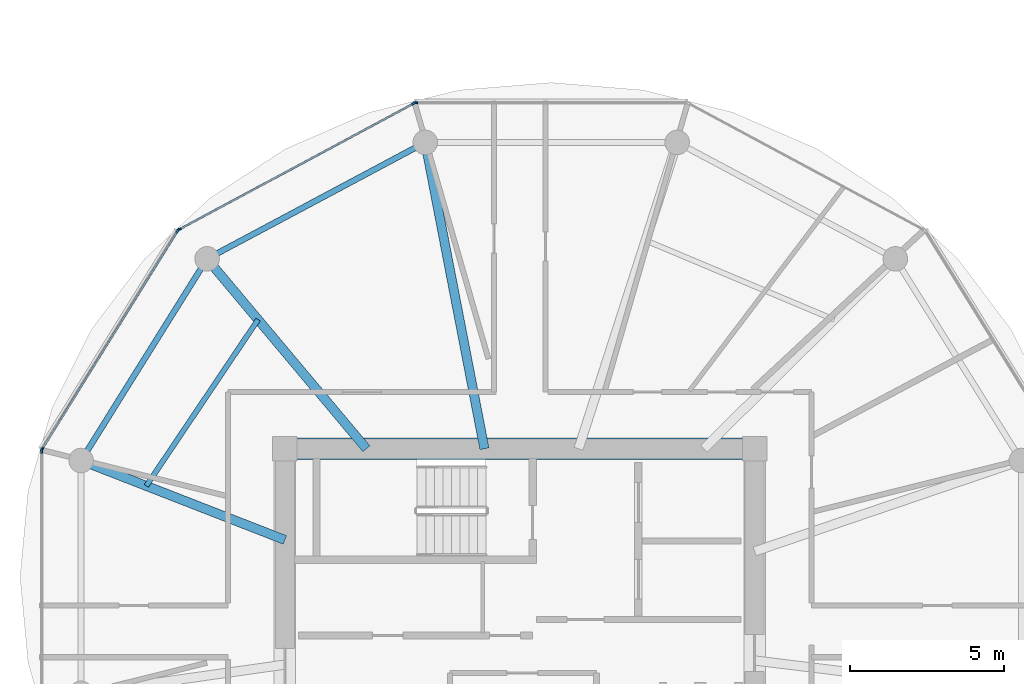
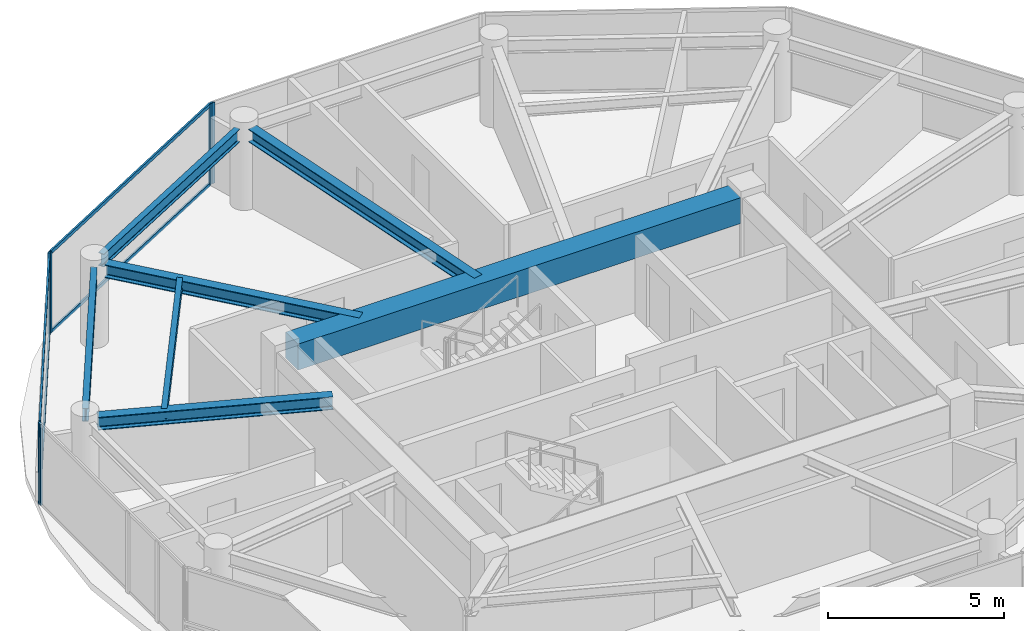
# One storey, part 4 of 22: 10 members, 7 beams, 4 elements without a shape of their own.
"""IFC4 building model written with IfcOpenShell, lengths in metres."""

from ifc_helpers import new_model, si_unit, direction, frame, origin, origin_2d, place, context, subcontext, project, spatial, rectangle, i_section, extrude, source, transform, mapped, material, layer, layer_set, material_profile, profile_set, type_object, type_shapes, element, aggregate, save


model = new_model("IFC4")

# Units and contexts
model_context = context("Model", 3, precision=1e-05, world=origin(), true_north=direction((0.0, 1.0)))
body_context = subcontext(model_context, "Body", "Model", "MODEL_VIEW")
ifc_project = project(units=[si_unit("LENGTHUNIT", "METRE"), si_unit("AREAUNIT", "SQUARE_METRE"), si_unit("VOLUMEUNIT", "CUBIC_METRE"), si_unit("PLANEANGLEUNIT", "RADIAN"), si_unit("MASSUNIT", "GRAM", prefix="KILO")], contexts=[model_context])

# Site, building, storey
site_placement = place(None, origin())
site = spatial("IfcSite", under=ifc_project, at=site_placement, CompositionType="ELEMENT")
building_placement = place(site_placement, origin())
building = spatial("IfcBuilding", under=site, at=building_placement, Name="Norrkilde Senior Care Towers", CompositionType="ELEMENT")
storey_placement = place(building_placement, frame((0.0, 0.0, 180.050048828125)))
storey = spatial("IfcBuildingStorey", under=building, at=storey_placement, Name="L56", CompositionType="ELEMENT", Elevation=180.050048828125)

# Beams
ifc_material_1 = material(Name="Concrete C60/75", Category="concrete")
ifc_material_profile_1 = material_profile(ifc_material_1, rectangle(XDim=0.699951171875, YDim=0.89990234375, at=origin_2d()), Name="RC BM 700x900")
ifc_profile_set_1 = profile_set([ifc_material_profile_1], Name="Concrete C60/75")
beam_type_1 = type_object("IfcBeamType", Name="Core Coupling Girder 700x900", PredefinedType="USERDEFINED", material=ifc_profile_set_1)
shared_shape_1 = source(origin(), body_context, "Body", "SweptSolid", [
    extrude(rectangle(XDim=0.699951171875, YDim=0.89990234375, at=origin_2d()), origin(), (0.0, 0.0, 1.0), 14.5400390625),
])
type_shapes(beam_type_1, [shared_shape_1])
beam_1_placement = place(storey_placement, frame((-35.27001953125, 5.949951171875, 2.35986328125), z_axis=(1.0, 0.0, 0.0), x_axis=(0.0, 1.0, 0.0)))
element("IfcBeam", 1, at=beam_1_placement, inside=storey, type_object=beam_type_1, Name="L56 Core W N Coupling Girder", ObjectType="GIRDER", PredefinedType="USERDEFINED", context=body_context, shape_type="MappedRepresentation", body=[
    mapped(shared_shape_1, transform((0.0, 0.0, 0.0), x_axis=(1.0, 0.0, 0.0), y_axis=(0.0, 1.0, 0.0), z_axis=(0.0, 0.0, 1.0), scale=1.0)),
])
ifc_material_2 = material(Name="Steel S355", Category="steel")
ifc_material_profile_2 = material_profile(ifc_material_2, i_section(OverallWidth=0.18994140625, OverallDepth=0.449951171875, WebThickness=0.009521484375, FlangeThickness=0.0146484375, FilletRadius=0.02099609375, at=origin_2d()), Name="IPE 450")
ifc_profile_set_2 = profile_set([ifc_material_profile_2], Name="Steel S355")
beam_type_2 = type_object("IfcBeamType", Name="Perimeter Ring Spandrel Z3 IPE450", PredefinedType="SPANDREL", material=ifc_profile_set_2)
shared_shape_2 = source(origin(), body_context, "Body", "SweptSolid", [
    extrude(i_section(OverallWidth=0.18994140625, OverallDepth=0.449951171875, WebThickness=0.009521484375, FlangeThickness=0.0146484375, FilletRadius=0.02099609375, at=origin_2d()), origin(), (0.0, 0.0, 1.0), 7.0234375),
])
beam_2_placement = place(storey_placement, frame((-38.373291015625, 11.8291015625, 2.5849609375), z_axis=(-0.529789577822, -0.848129119433, 0.0), x_axis=(0.848129119433, -0.529789577822, 0.0)))
element("IfcBeam", 2, at=beam_2_placement, inside=storey, type_object=beam_type_2, Name="L56 Drum W Perimeter Spandrel 05", PredefinedType="SPANDREL", context=body_context, shape_type="MappedRepresentation", body=[
    mapped(shared_shape_2, transform((0.0, 0.0, 0.0), x_axis=(1.0, 0.0, 0.0), y_axis=(0.0, 1.0, 0.0), z_axis=(0.0, 0.0, 1.0), scale=1.0)),
])
shared_shape_3 = source(origin(), body_context, "Body", "SweptSolid", [
    extrude(i_section(OverallWidth=0.18994140625, OverallDepth=0.449951171875, WebThickness=0.009521484375, FlangeThickness=0.0146484375, FilletRadius=0.02099609375, at=origin_2d()), origin(), (0.0, 0.0, 1.0), 7.333740234375),
])
type_shapes(beam_type_2, [shared_shape_2, shared_shape_3])
beam_3_placement = place(storey_placement, frame((-31.394775390625, 15.756591796875, 2.5849609375), z_axis=(-0.882247866069, -0.470785198172, 0.0), x_axis=(0.470785198172, -0.882247866069, 0.0)))
element("IfcBeam", 3, at=beam_3_placement, inside=storey, type_object=beam_type_2, Name="L56 Drum W Perimeter Spandrel 04", PredefinedType="SPANDREL", context=body_context, shape_type="MappedRepresentation", body=[
    mapped(shared_shape_3, transform((0.0, 0.0, 0.0), x_axis=(1.0, 0.0, 0.0), y_axis=(0.0, 1.0, 0.0), z_axis=(0.0, 0.0, 1.0), scale=1.0)),
])
ifc_material_profile_3 = material_profile(ifc_material_2, i_section(OverallWidth=0.300048828125, OverallDepth=0.449951171875, WebThickness=0.013916015625, FlangeThickness=0.02587890625, FilletRadius=0.027099609375, at=origin_2d()), Name="HEB 450")
ifc_profile_set_3 = profile_set([ifc_material_profile_3], Name="Steel S355")
beam_type_3 = type_object("IfcBeamType", Name="Radial Floor Beam Z3 HEB450", PredefinedType="BEAM", material=ifc_profile_set_3)
shared_shape_4 = source(origin(), body_context, "Body", "SweptSolid", [
    extrude(i_section(OverallWidth=0.300048828125, OverallDepth=0.449951171875, WebThickness=0.013916015625, FlangeThickness=0.02587890625, FilletRadius=0.027099609375, at=origin_2d()), origin(), (0.0, 0.0, 1.0), 9.80078125),
])
beam_4_placement = place(storey_placement, frame((-29.149658203125, 5.949951171875, 2.5849609375), z_axis=(-0.189716727661, 0.98183886827, 0.0), x_axis=(-0.98183886827, -0.189716727661, 0.0)))
element("IfcBeam", 4, at=beam_4_placement, inside=storey, type_object=beam_type_3, Name="L56 Drum W Radial Floor Beam 04", PredefinedType="BEAM", context=body_context, shape_type="MappedRepresentation", body=[
    mapped(shared_shape_4, transform((0.0, 0.0, 0.0), x_axis=(1.0, 0.0, 0.0), y_axis=(0.0, 1.0, 0.0), z_axis=(0.0, 0.0, 1.0), scale=1.0)),
])
shared_shape_5 = source(origin(), body_context, "Body", "SweptSolid", [
    extrude(i_section(OverallWidth=0.300048828125, OverallDepth=0.449951171875, WebThickness=0.013916015625, FlangeThickness=0.02587890625, FilletRadius=0.027099609375, at=origin_2d()), origin(), (0.0, 0.0, 1.0), 7.71337890625),
])
beam_5_placement = place(storey_placement, frame((-32.992919921875, 5.949951171875, 2.5849609375), z_axis=(-0.642808239864, 0.766027131872, 0.0), x_axis=(-0.766027131872, -0.642808239864, 0.0)))
element("IfcBeam", 5, at=beam_5_placement, inside=storey, type_object=beam_type_3, Name="L56 Drum W Radial Floor Beam 05", PredefinedType="BEAM", context=body_context, shape_type="MappedRepresentation", body=[
    mapped(shared_shape_5, transform((0.0, 0.0, 0.0), x_axis=(1.0, 0.0, 0.0), y_axis=(0.0, 1.0, 0.0), z_axis=(0.0, 0.0, 1.0), scale=1.0)),
])
shared_shape_6 = source(origin(), body_context, "Body", "SweptSolid", [
    extrude(i_section(OverallWidth=0.300048828125, OverallDepth=0.449951171875, WebThickness=0.013916015625, FlangeThickness=0.02587890625, FilletRadius=0.027099609375, at=origin_2d()), origin(), (0.0, 0.0, 1.0), 6.760986328125),
])
type_shapes(beam_type_3, [shared_shape_4, shared_shape_5, shared_shape_6])
beam_6_placement = place(storey_placement, frame((-35.64990234375, 2.981201171875, 2.5849609375), z_axis=(-0.931742171387, 0.363120539297, 0.0), x_axis=(-0.363120539297, -0.931742171387, 0.0)))
element("IfcBeam", 6, at=beam_6_placement, inside=storey, type_object=beam_type_3, Name="L56 Drum W Radial Floor Beam 06", PredefinedType="BEAM", context=body_context, shape_type="MappedRepresentation", body=[
    mapped(shared_shape_6, transform((0.0, 0.0, 0.0), x_axis=(1.0, 0.0, 0.0), y_axis=(0.0, 1.0, 0.0), z_axis=(0.0, 0.0, 1.0), scale=1.0)),
])
ifc_material_profile_4 = material_profile(ifc_material_2, i_section(OverallWidth=0.169921875, OverallDepth=0.360107421875, WebThickness=0.008056640625, FlangeThickness=0.0126953125, FilletRadius=0.01806640625, at=origin_2d()), Name="IPE 360")
ifc_profile_set_4 = profile_set([ifc_material_profile_4], Name="Steel S355")
beam_type_4 = type_object("IfcBeamType", Name="Secondary Floor Joist IPE360", PredefinedType="JOIST", material=ifc_profile_set_4)
shared_shape_7 = source(origin(), body_context, "Body", "SweptSolid", [
    extrude(i_section(OverallWidth=0.169921875, OverallDepth=0.360107421875, WebThickness=0.008056640625, FlangeThickness=0.0126953125, FilletRadius=0.01806640625, at=origin_2d()), origin(), (0.0, 0.0, 1.0), 6.525390625),
])
type_shapes(beam_type_4, [shared_shape_7])
beam_7_placement = place(storey_placement, frame((-36.52197265625, 10.155517578125, 2.6298828125), z_axis=(-0.55779590102, -0.829978152005, 0.0), x_axis=(0.829978152005, -0.55779590102, 0.0)))
element("IfcBeam", 7, at=beam_7_placement, inside=storey, type_object=beam_type_4, Name="L56 Drum W Secondary Floor Joist 2", PredefinedType="JOIST", context=body_context, shape_type="MappedRepresentation", body=[
    mapped(shared_shape_7, transform((0.0, 0.0, 0.0), x_axis=(1.0, 0.0, 0.0), y_axis=(0.0, 1.0, 0.0), z_axis=(0.0, 0.0, 1.0), scale=1.0)),
])

# Curtain wall, member
ifc_material_3 = material(Name="Triple Low-E Insulated Glazing", Category="glass")
ifc_layer = layer(ifc_material_3, 0.18994140625)
ifc_layer_set = layer_set([ifc_layer], Name="Triple Low-E Insulated Glazing")
curtain_wall_type = type_object("IfcCurtainWallType", Name="CW4 Zone 3 Senior Residence Curtain Wall", PredefinedType="NOTDEFINED", material=ifc_layer_set)
curtain_wall_1_placement = place(storey_placement, origin())
curtain_wall_1 = element("IfcCurtainWall", 8, at=curtain_wall_1_placement, inside=storey, type_object=curtain_wall_type, Name="L56 Drum W Curtain Wall 02", PredefinedType="NOTDEFINED")
ifc_material_4 = material(Name="Anodised Aluminium", Category="aluminium")
ifc_material_profile_5 = material_profile(ifc_material_4, rectangle(XDim=0.06494140625, YDim=0.14990234375, at=origin_2d()), Name="ALU MULL 65x150")
ifc_profile_set_5 = profile_set([ifc_material_profile_5], Name="Anodised Aluminium")
member_type_1 = type_object("IfcMemberType", Name="Curtain Wall Mullion Z3-Z4 65x150", PredefinedType="MULLION", material=ifc_profile_set_5)
shared_shape_8 = source(origin(), body_context, "Body", "SweptSolid", [
    extrude(rectangle(XDim=0.06494140625, YDim=0.14990234375, at=origin_2d()), origin(), (0.0, 0.0, 1.0), 2.81005859375),
])
type_shapes(member_type_1, [shared_shape_8])
member_1_placement = place(storey_placement, frame((-31.388916015625, 17.2109375, 0.0), z_axis=(0.0, 0.0, 1.0), x_axis=(0.0, 1.0, 0.0)))
member_1 = element("IfcMember", 9, at=member_1_placement, type_object=member_type_1, Name="CW-4 mullion 1", PredefinedType="MULLION", context=body_context, shape_type="MappedRepresentation", body=[
    mapped(shared_shape_8, transform((0.0, 0.0, 0.0), x_axis=(1.0, 0.0, 0.0), y_axis=(0.0, 1.0, 0.0), z_axis=(0.0, 0.0, 1.0), scale=1.0)),
])
aggregate(curtain_wall_1, [member_1])

# Curtain wall, members
curtain_wall_2_placement = place(storey_placement, origin())
curtain_wall_2 = element("IfcCurtainWall", 10, at=curtain_wall_2_placement, inside=storey, type_object=curtain_wall_type, Name="L56 Drum W Curtain Wall 03", PredefinedType="NOTDEFINED")
member_2_placement = place(storey_placement, frame((-39.094482421875, 13.09033203125, 0.0), z_axis=(0.0, 0.0, 1.0), x_axis=(-0.47311715104, 0.880999524059, 0.0)))
member_2 = element("IfcMember", 11, at=member_2_placement, type_object=member_type_1, Name="CW-4 mullion 1", PredefinedType="MULLION", context=body_context, shape_type="MappedRepresentation", body=[
    mapped(shared_shape_8, transform((0.0, 0.0, 0.0), x_axis=(1.0, 0.0, 0.0), y_axis=(0.0, 1.0, 0.0), z_axis=(0.0, 0.0, 1.0), scale=1.0)),
])
member_3_placement = place(storey_placement, frame((-31.4501953125, 17.195556640625, 0.0), z_axis=(0.0, 0.0, 1.0), x_axis=(-0.47311715104, 0.880999524059, 0.0)))
member_3 = element("IfcMember", 12, at=member_3_placement, type_object=member_type_1, Name="CW-4 mullion 2", PredefinedType="MULLION", context=body_context, shape_type="MappedRepresentation", body=[
    mapped(shared_shape_8, transform((0.0, 0.0, 0.0), x_axis=(1.0, 0.0, 0.0), y_axis=(0.0, 1.0, 0.0), z_axis=(0.0, 0.0, 1.0), scale=1.0)),
])

curtain_wall_3_placement = place(storey_placement, origin())
curtain_wall_3 = element("IfcCurtainWall", 13, at=curtain_wall_3_placement, inside=storey, type_object=curtain_wall_type, Name="L56 Drum W Curtain Wall 04", PredefinedType="NOTDEFINED")
member_4_placement = place(storey_placement, frame((-43.552490234375, 5.93896484375, 0.0), z_axis=(0.0, 0.0, 1.0), x_axis=(-0.84963405474, 0.52737270789, 0.0)))
member_4 = element("IfcMember", 14, at=member_4_placement, type_object=member_type_1, Name="CW-4 mullion 1", PredefinedType="MULLION", context=body_context, shape_type="MappedRepresentation", body=[
    mapped(shared_shape_8, transform((0.0, 0.0, 0.0), x_axis=(1.0, 0.0, 0.0), y_axis=(0.0, 1.0, 0.0), z_axis=(0.0, 0.0, 1.0), scale=1.0)),
])
member_5_placement = place(storey_placement, frame((-39.14013671875, 13.04736328125, 0.0), z_axis=(0.0, 0.0, 1.0), x_axis=(-0.84963405474, 0.52737270789, 0.0)))
member_5 = element("IfcMember", 15, at=member_5_placement, type_object=member_type_1, Name="CW-4 mullion 2", PredefinedType="MULLION", context=body_context, shape_type="MappedRepresentation", body=[
    mapped(shared_shape_8, transform((0.0, 0.0, 0.0), x_axis=(1.0, 0.0, 0.0), y_axis=(0.0, 1.0, 0.0), z_axis=(0.0, 0.0, 1.0), scale=1.0)),
])

# Curtain wall, member
curtain_wall_4_placement = place(storey_placement, origin())
curtain_wall_4 = element("IfcCurtainWall", 16, at=curtain_wall_4_placement, inside=storey, type_object=curtain_wall_type, Name="L56 Drum W Curtain Wall 05", PredefinedType="NOTDEFINED")
member_6_placement = place(storey_placement, frame((-43.569580078125, 5.878662109375, 0.0), z_axis=(0.0, 0.0, 1.0), x_axis=(-1.0, 0.0, 0.0)))
member_6 = element("IfcMember", 17, at=member_6_placement, type_object=member_type_1, Name="CW-4 mullion 2", PredefinedType="MULLION", context=body_context, shape_type="MappedRepresentation", body=[
    mapped(shared_shape_8, transform((0.0, 0.0, 0.0), x_axis=(1.0, 0.0, 0.0), y_axis=(0.0, 1.0, 0.0), z_axis=(0.0, 0.0, 1.0), scale=1.0)),
])
aggregate(curtain_wall_4, [member_6])

# Member
ifc_material_profile_6 = material_profile(ifc_material_4, rectangle(XDim=0.06005859375, YDim=0.1201171875, at=origin_2d()), Name="ALU TRAN 60x120")
ifc_profile_set_6 = profile_set([ifc_material_profile_6], Name="Anodised Aluminium")
member_type_2 = type_object("IfcMemberType", Name="Curtain Wall Transom Typical 60x120", PredefinedType="USERDEFINED", material=ifc_profile_set_6)
shared_shape_9 = source(origin(), body_context, "Body", "SweptSolid", [
    extrude(rectangle(XDim=0.06005859375, YDim=0.1201171875, at=origin_2d()), origin(), (0.0, 0.0, 1.0), 8.301513671875),
])
member_7_placement = place(storey_placement, frame((-43.535400390625, 5.966552734375, 0.030029296875), z_axis=(0.527368718394, 0.849636531029, 0.0), x_axis=(-0.849636531029, 0.527368718394, 0.0)))
member_7 = element("IfcMember", 18, at=member_7_placement, type_object=member_type_2, Name="CW-4 transom 1.1", ObjectType="TRANSOM", PredefinedType="USERDEFINED", context=body_context, shape_type="MappedRepresentation", body=[
    mapped(shared_shape_9, transform((0.0, 0.0, 0.0), x_axis=(1.0, 0.0, 0.0), y_axis=(0.0, 1.0, 0.0), z_axis=(0.0, 0.0, 1.0), scale=1.0)),
])

member_8_placement = place(storey_placement, frame((-43.535400390625, 5.966552734375, 2.780029296875), z_axis=(0.527368718394, 0.849636531029, 0.0), x_axis=(-0.849636531029, 0.527368718394, 0.0)))
member_8 = element("IfcMember", 19, at=member_8_placement, type_object=member_type_2, Name="CW-4 transom 1.2", ObjectType="TRANSOM", PredefinedType="USERDEFINED", context=body_context, shape_type="MappedRepresentation", body=[
    mapped(shared_shape_9, transform((0.0, 0.0, 0.0), x_axis=(1.0, 0.0, 0.0), y_axis=(0.0, 1.0, 0.0), z_axis=(0.0, 0.0, 1.0), scale=1.0)),
])

aggregate(curtain_wall_3, [member_4, member_5, member_7, member_8])

shared_shape_10 = source(origin(), body_context, "Body", "SweptSolid", [
    extrude(rectangle(XDim=0.06005859375, YDim=0.1201171875, at=origin_2d()), origin(), (0.0, 0.0, 1.0), 8.612060546875),
])
type_shapes(member_type_2, [shared_shape_9, shared_shape_10])
member_9_placement = place(storey_placement, frame((-39.06591796875, 13.105712890625, 0.030029296875), z_axis=(0.881000337462, 0.473115636384, 0.0), x_axis=(-0.473115636384, 0.881000337462, 0.0)))
member_9 = element("IfcMember", 20, at=member_9_placement, type_object=member_type_2, Name="CW-4 transom 1.1", ObjectType="TRANSOM", PredefinedType="USERDEFINED", context=body_context, shape_type="MappedRepresentation", body=[
    mapped(shared_shape_10, transform((0.0, 0.0, 0.0), x_axis=(1.0, 0.0, 0.0), y_axis=(0.0, 1.0, 0.0), z_axis=(0.0, 0.0, 1.0), scale=1.0)),
])

member_10_placement = place(storey_placement, frame((-39.06591796875, 13.105712890625, 2.780029296875), z_axis=(0.881000337462, 0.473115636384, 0.0), x_axis=(-0.473115636384, 0.881000337462, 0.0)))
member_10 = element("IfcMember", 21, at=member_10_placement, type_object=member_type_2, Name="CW-4 transom 1.2", ObjectType="TRANSOM", PredefinedType="USERDEFINED", context=body_context, shape_type="MappedRepresentation", body=[
    mapped(shared_shape_10, transform((0.0, 0.0, 0.0), x_axis=(1.0, 0.0, 0.0), y_axis=(0.0, 1.0, 0.0), z_axis=(0.0, 0.0, 1.0), scale=1.0)),
])

aggregate(curtain_wall_2, [member_2, member_3, member_9, member_10])

save(model, "model.ifc")
